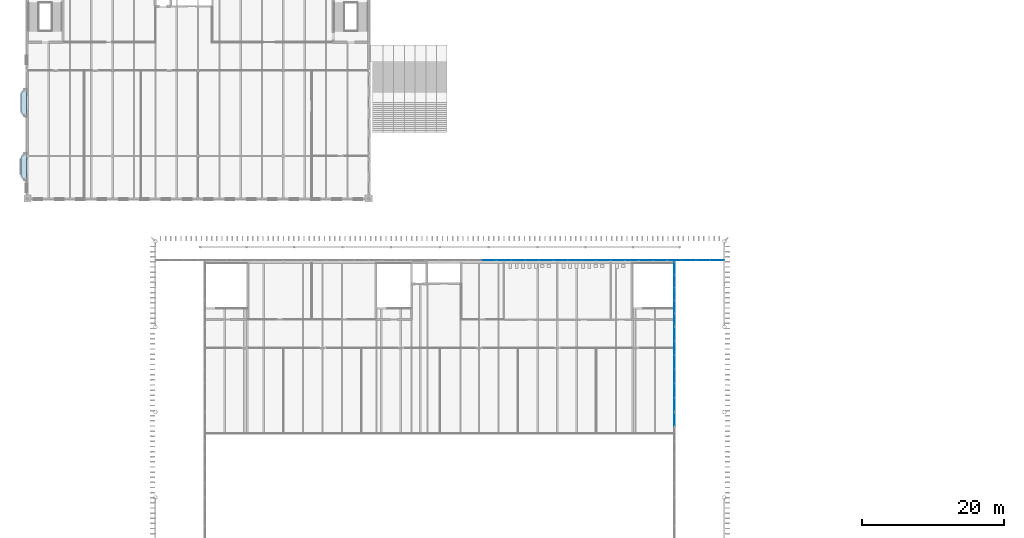
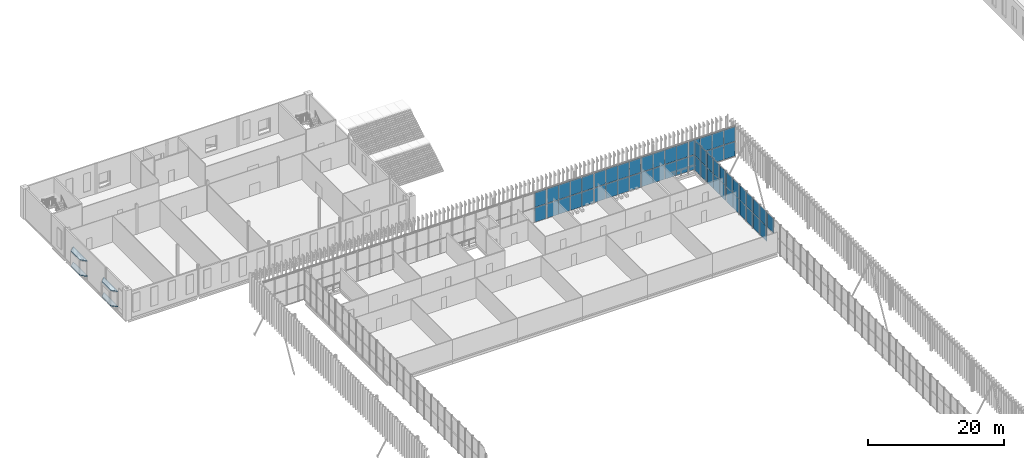
# One storey, part 97 of 170: 57 plates, 4 slabs, 8 elements without a shape of their own.
"""IFC4 building model written with IfcOpenShell, lengths in metres."""

from ifc_helpers import new_model, si_unit, direction, frame, origin, origin_2d, place, context, subcontext, project, spatial, polyline, rectangle, outline, extrude, material, layer, layer_set, type_object, element, aggregate, save


model = new_model("IFC4")

# Units and contexts
model_context = context("Model", 3, precision=1e-05, world=origin(), true_north=direction((0.0, 1.0)))
body_context = subcontext(model_context, "Body", "Model", "MODEL_VIEW")
ifc_project = project(units=[si_unit("LENGTHUNIT", "METRE"), si_unit("AREAUNIT", "SQUARE_METRE"), si_unit("VOLUMEUNIT", "CUBIC_METRE"), si_unit("PLANEANGLEUNIT", "RADIAN"), si_unit("MASSUNIT", "GRAM", prefix="KILO")], contexts=[model_context])

# Site, building, storey
site_placement = place(None, origin())
site = spatial("IfcSite", under=ifc_project, at=site_placement, CompositionType="ELEMENT")
building_placement = place(site_placement, origin())
building = spatial("IfcBuilding", under=site, at=building_placement, Name="Ravi Spectrum Wholesale Market", CompositionType="ELEMENT")
storey_placement = place(building_placement, frame((0.0, 0.0, 5.39990234375)))
storey = spatial("IfcBuildingStorey", under=building, at=storey_placement, Name="L01", CompositionType="ELEMENT", Elevation=5.39990234375)

# Curtain wall, plate
ifc_material_1 = material(Name="Aluminium 6063-T6", Category="aluminium")
ifc_layer_1 = layer(ifc_material_1, 0.14990234375)
ifc_layer_set_1 = layer_set([ifc_layer_1], Name="Aluminium 6063-T6")
curtain_wall_type = type_object("IfcCurtainWallType", Name="Curtain wall 150", PredefinedType="NOTDEFINED", material=ifc_layer_set_1)
curtain_wall_1_placement = place(storey_placement, origin())
curtain_wall_1 = element("IfcCurtainWall", 1, at=curtain_wall_1_placement, inside=storey, type_object=curtain_wall_type, Name="H1-CW-L01-026", PredefinedType="NOTDEFINED")
ifc_material_2 = material(Name="Toughened glass", Category="glass")
ifc_layer_2 = layer(ifc_material_2, 0.028076171875)
ifc_layer_set_2 = layer_set([ifc_layer_2], Name="Toughened glass")
plate_type = type_object("IfcPlateType", Name="Glazing panel 28", PredefinedType="CURTAIN_PANEL", material=ifc_layer_set_2)
plate_1_placement = place(storey_placement, frame((103.0, 172.95166015625, 2.72998046875), z_axis=(0.0, 0.0, 1.0), x_axis=(0.0, 1.0, 0.0)))
plate_1 = element("IfcPlate", 2, at=plate_1_placement, type_object=plate_type, Name="H1-CW-L01-026 panel 6.2", PredefinedType="CURTAIN_PANEL", context=body_context, shape_type="SweptSolid", body=[
    extrude(rectangle(XDim=1.896728515625, YDim=0.028076171875, at=origin_2d()), origin(), (0.0, 0.0, 1.0), 2.610107421875),
])
aggregate(curtain_wall_1, [plate_1])

# Curtain wall, plates
curtain_wall_2_placement = place(storey_placement, origin())
curtain_wall_2 = element("IfcCurtainWall", 3, at=curtain_wall_2_placement, inside=storey, type_object=curtain_wall_type, Name="H1-CW-L01-027", PredefinedType="NOTDEFINED")
plate_2_placement = place(storey_placement, frame((103.0, 175.04833984375, 0.06005859375), z_axis=(0.0, 0.0, 1.0), x_axis=(0.0, 1.0, 0.0)))
plate_2 = element("IfcPlate", 4, at=plate_2_placement, type_object=plate_type, Name="H1-CW-L01-027 panel 1.1", PredefinedType="CURTAIN_PANEL", context=body_context, shape_type="SweptSolid", body=[
    extrude(rectangle(XDim=1.896728515625, YDim=0.028076171875, at=origin_2d()), origin(), (0.0, 0.0, 1.0), 2.610107421875),
])
plate_3_placement = place(storey_placement, frame((103.0, 175.04833984375, 2.72998046875), z_axis=(0.0, 0.0, 1.0), x_axis=(0.0, 1.0, 0.0)))
plate_3 = element("IfcPlate", 5, at=plate_3_placement, type_object=plate_type, Name="H1-CW-L01-027 panel 1.2", PredefinedType="CURTAIN_PANEL", context=body_context, shape_type="SweptSolid", body=[
    extrude(rectangle(XDim=1.896728515625, YDim=0.028076171875, at=origin_2d()), origin(), (0.0, 0.0, 1.0), 2.610107421875),
])
plate_4_placement = place(storey_placement, frame((103.0, 177.02001953125, 0.06005859375), z_axis=(0.0, 0.0, 1.0), x_axis=(0.0, 1.0, 0.0)))
plate_4 = element("IfcPlate", 6, at=plate_4_placement, type_object=plate_type, Name="H1-CW-L01-027 panel 2.1", PredefinedType="CURTAIN_PANEL", context=body_context, shape_type="SweptSolid", body=[
    extrude(rectangle(XDim=1.9267578125, YDim=0.028076171875, at=origin_2d()), origin(), (0.0, 0.0, 1.0), 2.610107421875),
])
plate_5_placement = place(storey_placement, frame((103.0, 177.02001953125, 2.72998046875), z_axis=(0.0, 0.0, 1.0), x_axis=(0.0, 1.0, 0.0)))
plate_5 = element("IfcPlate", 7, at=plate_5_placement, type_object=plate_type, Name="H1-CW-L01-027 panel 2.2", PredefinedType="CURTAIN_PANEL", context=body_context, shape_type="SweptSolid", body=[
    extrude(rectangle(XDim=1.9267578125, YDim=0.028076171875, at=origin_2d()), origin(), (0.0, 0.0, 1.0), 2.610107421875),
])
plate_6_placement = place(storey_placement, frame((103.0, 179.006591796875, 0.06005859375), z_axis=(0.0, 0.0, 1.0), x_axis=(0.0, 1.0, 0.0)))
plate_6 = element("IfcPlate", 8, at=plate_6_placement, type_object=plate_type, Name="H1-CW-L01-027 panel 3.1", PredefinedType="CURTAIN_PANEL", context=body_context, shape_type="SweptSolid", body=[
    extrude(rectangle(XDim=1.9267578125, YDim=0.028076171875, at=origin_2d()), origin(), (0.0, 0.0, 1.0), 2.610107421875),
])
plate_7_placement = place(storey_placement, frame((103.0, 179.006591796875, 2.72998046875), z_axis=(0.0, 0.0, 1.0), x_axis=(0.0, 1.0, 0.0)))
plate_7 = element("IfcPlate", 9, at=plate_7_placement, type_object=plate_type, Name="H1-CW-L01-027 panel 3.2", PredefinedType="CURTAIN_PANEL", context=body_context, shape_type="SweptSolid", body=[
    extrude(rectangle(XDim=1.9267578125, YDim=0.028076171875, at=origin_2d()), origin(), (0.0, 0.0, 1.0), 2.610107421875),
])
plate_8_placement = place(storey_placement, frame((103.0, 180.993408203125, 0.06005859375), z_axis=(0.0, 0.0, 1.0), x_axis=(0.0, 1.0, 0.0)))
plate_8 = element("IfcPlate", 10, at=plate_8_placement, type_object=plate_type, Name="H1-CW-L01-027 panel 4.1", PredefinedType="CURTAIN_PANEL", context=body_context, shape_type="SweptSolid", body=[
    extrude(rectangle(XDim=1.9267578125, YDim=0.028076171875, at=origin_2d()), origin(), (0.0, 0.0, 1.0), 2.610107421875),
])
plate_9_placement = place(storey_placement, frame((103.0, 180.993408203125, 2.72998046875), z_axis=(0.0, 0.0, 1.0), x_axis=(0.0, 1.0, 0.0)))
plate_9 = element("IfcPlate", 11, at=plate_9_placement, type_object=plate_type, Name="H1-CW-L01-027 panel 4.2", PredefinedType="CURTAIN_PANEL", context=body_context, shape_type="SweptSolid", body=[
    extrude(rectangle(XDim=1.9267578125, YDim=0.028076171875, at=origin_2d()), origin(), (0.0, 0.0, 1.0), 2.610107421875),
])
plate_10_placement = place(storey_placement, frame((103.0, 182.97998046875, 0.06005859375), z_axis=(0.0, 0.0, 1.0), x_axis=(0.0, 1.0, 0.0)))
plate_10 = element("IfcPlate", 12, at=plate_10_placement, type_object=plate_type, Name="H1-CW-L01-027 panel 5.1", PredefinedType="CURTAIN_PANEL", context=body_context, shape_type="SweptSolid", body=[
    extrude(rectangle(XDim=1.9267578125, YDim=0.028076171875, at=origin_2d()), origin(), (0.0, 0.0, 1.0), 2.610107421875),
])
plate_11_placement = place(storey_placement, frame((103.0, 182.97998046875, 2.72998046875), z_axis=(0.0, 0.0, 1.0), x_axis=(0.0, 1.0, 0.0)))
plate_11 = element("IfcPlate", 13, at=plate_11_placement, type_object=plate_type, Name="H1-CW-L01-027 panel 5.2", PredefinedType="CURTAIN_PANEL", context=body_context, shape_type="SweptSolid", body=[
    extrude(rectangle(XDim=1.9267578125, YDim=0.028076171875, at=origin_2d()), origin(), (0.0, 0.0, 1.0), 2.610107421875),
])
plate_12_placement = place(storey_placement, frame((103.0, 184.95166015625, 0.06005859375), z_axis=(0.0, 0.0, 1.0), x_axis=(0.0, 1.0, 0.0)))
plate_12 = element("IfcPlate", 14, at=plate_12_placement, type_object=plate_type, Name="H1-CW-L01-027 panel 6.1", PredefinedType="CURTAIN_PANEL", context=body_context, shape_type="SweptSolid", body=[
    extrude(rectangle(XDim=1.896728515625, YDim=0.028076171875, at=origin_2d()), origin(), (0.0, 0.0, 1.0), 2.610107421875),
])
plate_13_placement = place(storey_placement, frame((103.0, 184.95166015625, 2.72998046875), z_axis=(0.0, 0.0, 1.0), x_axis=(0.0, 1.0, 0.0)))
plate_13 = element("IfcPlate", 15, at=plate_13_placement, type_object=plate_type, Name="H1-CW-L01-027 panel 6.2", PredefinedType="CURTAIN_PANEL", context=body_context, shape_type="SweptSolid", body=[
    extrude(rectangle(XDim=1.896728515625, YDim=0.028076171875, at=origin_2d()), origin(), (0.0, 0.0, 1.0), 2.610107421875),
])
aggregate(curtain_wall_2, [plate_2, plate_3, plate_4, plate_5, plate_6, plate_7, plate_8, plate_9, plate_10, plate_11, plate_12, plate_13])

curtain_wall_3_placement = place(storey_placement, origin())
curtain_wall_3 = element("IfcCurtainWall", 16, at=curtain_wall_3_placement, inside=storey, type_object=curtain_wall_type, Name="H1-CW-L01-028", PredefinedType="NOTDEFINED")
plate_14_placement = place(storey_placement, frame((103.0, 186.964111328125, 0.06005859375), z_axis=(0.0, 0.0, 1.0), x_axis=(0.0, 1.0, 0.0)))
plate_14 = element("IfcPlate", 17, at=plate_14_placement, type_object=plate_type, Name="H1-CW-L01-028 panel 1.1", PredefinedType="CURTAIN_PANEL", context=body_context, shape_type="SweptSolid", body=[
    extrude(rectangle(XDim=1.72802734375, YDim=0.028076171875, at=origin_2d()), origin(), (0.0, 0.0, 1.0), 2.610107421875),
])
plate_15_placement = place(storey_placement, frame((103.0, 186.964111328125, 2.72998046875), z_axis=(0.0, 0.0, 1.0), x_axis=(0.0, 1.0, 0.0)))
plate_15 = element("IfcPlate", 18, at=plate_15_placement, type_object=plate_type, Name="H1-CW-L01-028 panel 1.2", PredefinedType="CURTAIN_PANEL", context=body_context, shape_type="SweptSolid", body=[
    extrude(rectangle(XDim=1.72802734375, YDim=0.028076171875, at=origin_2d()), origin(), (0.0, 0.0, 1.0), 2.610107421875),
])
plate_16_placement = place(storey_placement, frame((103.0, 188.76708984375, 0.06005859375), z_axis=(0.0, 0.0, 1.0), x_axis=(0.0, 1.0, 0.0)))
plate_16 = element("IfcPlate", 19, at=plate_16_placement, type_object=plate_type, Name="H1-CW-L01-028 panel 2.1", PredefinedType="CURTAIN_PANEL", context=body_context, shape_type="SweptSolid", body=[
    extrude(rectangle(XDim=1.758056640625, YDim=0.028076171875, at=origin_2d()), origin(), (0.0, 0.0, 1.0), 2.610107421875),
])
plate_17_placement = place(storey_placement, frame((103.0, 188.76708984375, 2.72998046875), z_axis=(0.0, 0.0, 1.0), x_axis=(0.0, 1.0, 0.0)))
plate_17 = element("IfcPlate", 20, at=plate_17_placement, type_object=plate_type, Name="H1-CW-L01-028 panel 2.2", PredefinedType="CURTAIN_PANEL", context=body_context, shape_type="SweptSolid", body=[
    extrude(rectangle(XDim=1.758056640625, YDim=0.028076171875, at=origin_2d()), origin(), (0.0, 0.0, 1.0), 2.610107421875),
])
plate_18_placement = place(storey_placement, frame((103.0, 190.5849609375, 0.06005859375), z_axis=(0.0, 0.0, 1.0), x_axis=(0.0, 1.0, 0.0)))
plate_18 = element("IfcPlate", 21, at=plate_18_placement, type_object=plate_type, Name="H1-CW-L01-028 panel 3.1", PredefinedType="CURTAIN_PANEL", context=body_context, shape_type="SweptSolid", body=[
    extrude(rectangle(XDim=1.758056640625, YDim=0.028076171875, at=origin_2d()), origin(), (0.0, 0.0, 1.0), 2.610107421875),
])
plate_19_placement = place(storey_placement, frame((103.0, 190.5849609375, 2.72998046875), z_axis=(0.0, 0.0, 1.0), x_axis=(0.0, 1.0, 0.0)))
plate_19 = element("IfcPlate", 22, at=plate_19_placement, type_object=plate_type, Name="H1-CW-L01-028 panel 3.2", PredefinedType="CURTAIN_PANEL", context=body_context, shape_type="SweptSolid", body=[
    extrude(rectangle(XDim=1.758056640625, YDim=0.028076171875, at=origin_2d()), origin(), (0.0, 0.0, 1.0), 2.610107421875),
])
plate_20_placement = place(storey_placement, frame((103.0, 192.403076171875, 0.06005859375), z_axis=(0.0, 0.0, 1.0), x_axis=(0.0, 1.0, 0.0)))
plate_20 = element("IfcPlate", 23, at=plate_20_placement, type_object=plate_type, Name="H1-CW-L01-028 panel 4.1", PredefinedType="CURTAIN_PANEL", context=body_context, shape_type="SweptSolid", body=[
    extrude(rectangle(XDim=1.758056640625, YDim=0.028076171875, at=origin_2d()), origin(), (0.0, 0.0, 1.0), 2.610107421875),
])
plate_21_placement = place(storey_placement, frame((103.0, 192.403076171875, 2.72998046875), z_axis=(0.0, 0.0, 1.0), x_axis=(0.0, 1.0, 0.0)))
plate_21 = element("IfcPlate", 24, at=plate_21_placement, type_object=plate_type, Name="H1-CW-L01-028 panel 4.2", PredefinedType="CURTAIN_PANEL", context=body_context, shape_type="SweptSolid", body=[
    extrude(rectangle(XDim=1.758056640625, YDim=0.028076171875, at=origin_2d()), origin(), (0.0, 0.0, 1.0), 2.610107421875),
])
plate_22_placement = place(storey_placement, frame((103.0, 194.2060546875, 0.06005859375), z_axis=(0.0, 0.0, 1.0), x_axis=(0.0, 1.0, 0.0)))
plate_22 = element("IfcPlate", 25, at=plate_22_placement, type_object=plate_type, Name="H1-CW-L01-028 panel 5.1", PredefinedType="CURTAIN_PANEL", context=body_context, shape_type="SweptSolid", body=[
    extrude(rectangle(XDim=1.72802734375, YDim=0.028076171875, at=origin_2d()), origin(), (0.0, 0.0, 1.0), 2.610107421875),
])
plate_23_placement = place(storey_placement, frame((103.0, 194.2060546875, 2.72998046875), z_axis=(0.0, 0.0, 1.0), x_axis=(0.0, 1.0, 0.0)))
plate_23 = element("IfcPlate", 26, at=plate_23_placement, type_object=plate_type, Name="H1-CW-L01-028 panel 5.2", PredefinedType="CURTAIN_PANEL", context=body_context, shape_type="SweptSolid", body=[
    extrude(rectangle(XDim=1.72802734375, YDim=0.028076171875, at=origin_2d()), origin(), (0.0, 0.0, 1.0), 2.610107421875),
])
aggregate(curtain_wall_3, [plate_14, plate_15, plate_16, plate_17, plate_18, plate_19, plate_20, plate_21, plate_22, plate_23])

curtain_wall_4_placement = place(storey_placement, origin())
curtain_wall_4 = element("IfcCurtainWall", 27, at=curtain_wall_4_placement, inside=storey, type_object=curtain_wall_type, Name="H1-CW-L01-058", PredefinedType="NOTDEFINED")
plate_24_placement = place(storey_placement, frame((76.955078125, 195.340087890625, 0.06005859375), z_axis=(0.0, 0.0, 1.0), x_axis=(1.0, 0.0, 0.0)))
plate_24 = element("IfcPlate", 28, at=plate_24_placement, type_object=plate_type, Name="H1-CW-L01-058 panel 4.1", PredefinedType="CURTAIN_PANEL", context=body_context, shape_type="SweptSolid", body=[
    extrude(rectangle(XDim=1.889892578125, YDim=0.028076171875, at=origin_2d()), origin(), (0.0, 0.0, 1.0), 2.610107421875),
])
plate_25_placement = place(storey_placement, frame((76.955078125, 195.340087890625, 2.72998046875), z_axis=(0.0, 0.0, 1.0), x_axis=(1.0, 0.0, 0.0)))
plate_25 = element("IfcPlate", 29, at=plate_25_placement, type_object=plate_type, Name="H1-CW-L01-058 panel 4.2", PredefinedType="CURTAIN_PANEL", context=body_context, shape_type="SweptSolid", body=[
    extrude(rectangle(XDim=1.889892578125, YDim=0.028076171875, at=origin_2d()), origin(), (0.0, 0.0, 1.0), 2.610107421875),
])
aggregate(curtain_wall_4, [plate_24, plate_25])

curtain_wall_5_placement = place(storey_placement, origin())
curtain_wall_5 = element("IfcCurtainWall", 30, at=curtain_wall_5_placement, inside=storey, type_object=curtain_wall_type, Name="H1-CW-L01-059", PredefinedType="NOTDEFINED")
plate_26_placement = place(storey_placement, frame((79.044921875, 195.340087890625, 0.06005859375), z_axis=(0.0, 0.0, 1.0), x_axis=(1.0, 0.0, 0.0)))
plate_26 = element("IfcPlate", 31, at=plate_26_placement, type_object=plate_type, Name="H1-CW-L01-059 panel 1.1", PredefinedType="CURTAIN_PANEL", context=body_context, shape_type="SweptSolid", body=[
    extrude(rectangle(XDim=1.889892578125, YDim=0.028076171875, at=origin_2d()), origin(), (0.0, 0.0, 1.0), 2.610107421875),
])
plate_27_placement = place(storey_placement, frame((79.044921875, 195.340087890625, 2.72998046875), z_axis=(0.0, 0.0, 1.0), x_axis=(1.0, 0.0, 0.0)))
plate_27 = element("IfcPlate", 32, at=plate_27_placement, type_object=plate_type, Name="H1-CW-L01-059 panel 1.2", PredefinedType="CURTAIN_PANEL", context=body_context, shape_type="SweptSolid", body=[
    extrude(rectangle(XDim=1.889892578125, YDim=0.028076171875, at=origin_2d()), origin(), (0.0, 0.0, 1.0), 2.610107421875),
])
plate_28_placement = place(storey_placement, frame((81.010009765625, 195.340087890625, 0.06005859375), z_axis=(0.0, 0.0, 1.0), x_axis=(1.0, 0.0, 0.0)))
plate_28 = element("IfcPlate", 33, at=plate_28_placement, type_object=plate_type, Name="H1-CW-L01-059 panel 2.1", PredefinedType="CURTAIN_PANEL", context=body_context, shape_type="SweptSolid", body=[
    extrude(rectangle(XDim=1.919921875, YDim=0.028076171875, at=origin_2d()), origin(), (0.0, 0.0, 1.0), 2.610107421875),
])
plate_29_placement = place(storey_placement, frame((81.010009765625, 195.340087890625, 2.72998046875), z_axis=(0.0, 0.0, 1.0), x_axis=(1.0, 0.0, 0.0)))
plate_29 = element("IfcPlate", 34, at=plate_29_placement, type_object=plate_type, Name="H1-CW-L01-059 panel 2.2", PredefinedType="CURTAIN_PANEL", context=body_context, shape_type="SweptSolid", body=[
    extrude(rectangle(XDim=1.919921875, YDim=0.028076171875, at=origin_2d()), origin(), (0.0, 0.0, 1.0), 2.610107421875),
])
plate_30_placement = place(storey_placement, frame((82.989990234375, 195.340087890625, 0.06005859375), z_axis=(0.0, 0.0, 1.0), x_axis=(1.0, 0.0, 0.0)))
plate_30 = element("IfcPlate", 35, at=plate_30_placement, type_object=plate_type, Name="H1-CW-L01-059 panel 3.1", PredefinedType="CURTAIN_PANEL", context=body_context, shape_type="SweptSolid", body=[
    extrude(rectangle(XDim=1.919921875, YDim=0.028076171875, at=origin_2d()), origin(), (0.0, 0.0, 1.0), 2.610107421875),
])
plate_31_placement = place(storey_placement, frame((82.989990234375, 195.340087890625, 2.72998046875), z_axis=(0.0, 0.0, 1.0), x_axis=(1.0, 0.0, 0.0)))
plate_31 = element("IfcPlate", 36, at=plate_31_placement, type_object=plate_type, Name="H1-CW-L01-059 panel 3.2", PredefinedType="CURTAIN_PANEL", context=body_context, shape_type="SweptSolid", body=[
    extrude(rectangle(XDim=1.919921875, YDim=0.028076171875, at=origin_2d()), origin(), (0.0, 0.0, 1.0), 2.610107421875),
])
plate_32_placement = place(storey_placement, frame((84.955078125, 195.340087890625, 0.06005859375), z_axis=(0.0, 0.0, 1.0), x_axis=(1.0, 0.0, 0.0)))
plate_32 = element("IfcPlate", 37, at=plate_32_placement, type_object=plate_type, Name="H1-CW-L01-059 panel 4.1", PredefinedType="CURTAIN_PANEL", context=body_context, shape_type="SweptSolid", body=[
    extrude(rectangle(XDim=1.889892578125, YDim=0.028076171875, at=origin_2d()), origin(), (0.0, 0.0, 1.0), 2.610107421875),
])
plate_33_placement = place(storey_placement, frame((84.955078125, 195.340087890625, 2.72998046875), z_axis=(0.0, 0.0, 1.0), x_axis=(1.0, 0.0, 0.0)))
plate_33 = element("IfcPlate", 38, at=plate_33_placement, type_object=plate_type, Name="H1-CW-L01-059 panel 4.2", PredefinedType="CURTAIN_PANEL", context=body_context, shape_type="SweptSolid", body=[
    extrude(rectangle(XDim=1.889892578125, YDim=0.028076171875, at=origin_2d()), origin(), (0.0, 0.0, 1.0), 2.610107421875),
])
aggregate(curtain_wall_5, [plate_26, plate_27, plate_28, plate_29, plate_30, plate_31, plate_32, plate_33])

curtain_wall_6_placement = place(storey_placement, origin())
curtain_wall_6 = element("IfcCurtainWall", 39, at=curtain_wall_6_placement, inside=storey, type_object=curtain_wall_type, Name="H1-CW-L01-060", PredefinedType="NOTDEFINED")
plate_34_placement = place(storey_placement, frame((87.044921875, 195.340087890625, 0.06005859375), z_axis=(0.0, 0.0, 1.0), x_axis=(1.0, 0.0, 0.0)))
plate_34 = element("IfcPlate", 40, at=plate_34_placement, type_object=plate_type, Name="H1-CW-L01-060 panel 1.1", PredefinedType="CURTAIN_PANEL", context=body_context, shape_type="SweptSolid", body=[
    extrude(rectangle(XDim=1.889892578125, YDim=0.028076171875, at=origin_2d()), origin(), (0.0, 0.0, 1.0), 2.610107421875),
])
plate_35_placement = place(storey_placement, frame((87.044921875, 195.340087890625, 2.72998046875), z_axis=(0.0, 0.0, 1.0), x_axis=(1.0, 0.0, 0.0)))
plate_35 = element("IfcPlate", 41, at=plate_35_placement, type_object=plate_type, Name="H1-CW-L01-060 panel 1.2", PredefinedType="CURTAIN_PANEL", context=body_context, shape_type="SweptSolid", body=[
    extrude(rectangle(XDim=1.889892578125, YDim=0.028076171875, at=origin_2d()), origin(), (0.0, 0.0, 1.0), 2.610107421875),
])
plate_36_placement = place(storey_placement, frame((89.010009765625, 195.340087890625, 0.06005859375), z_axis=(0.0, 0.0, 1.0), x_axis=(1.0, 0.0, 0.0)))
plate_36 = element("IfcPlate", 42, at=plate_36_placement, type_object=plate_type, Name="H1-CW-L01-060 panel 2.1", PredefinedType="CURTAIN_PANEL", context=body_context, shape_type="SweptSolid", body=[
    extrude(rectangle(XDim=1.919921875, YDim=0.028076171875, at=origin_2d()), origin(), (0.0, 0.0, 1.0), 2.610107421875),
])
plate_37_placement = place(storey_placement, frame((89.010009765625, 195.340087890625, 2.72998046875), z_axis=(0.0, 0.0, 1.0), x_axis=(1.0, 0.0, 0.0)))
plate_37 = element("IfcPlate", 43, at=plate_37_placement, type_object=plate_type, Name="H1-CW-L01-060 panel 2.2", PredefinedType="CURTAIN_PANEL", context=body_context, shape_type="SweptSolid", body=[
    extrude(rectangle(XDim=1.919921875, YDim=0.028076171875, at=origin_2d()), origin(), (0.0, 0.0, 1.0), 2.610107421875),
])
plate_38_placement = place(storey_placement, frame((90.989990234375, 195.340087890625, 0.06005859375), z_axis=(0.0, 0.0, 1.0), x_axis=(1.0, 0.0, 0.0)))
plate_38 = element("IfcPlate", 44, at=plate_38_placement, type_object=plate_type, Name="H1-CW-L01-060 panel 3.1", PredefinedType="CURTAIN_PANEL", context=body_context, shape_type="SweptSolid", body=[
    extrude(rectangle(XDim=1.919921875, YDim=0.028076171875, at=origin_2d()), origin(), (0.0, 0.0, 1.0), 2.610107421875),
])
plate_39_placement = place(storey_placement, frame((90.989990234375, 195.340087890625, 2.72998046875), z_axis=(0.0, 0.0, 1.0), x_axis=(1.0, 0.0, 0.0)))
plate_39 = element("IfcPlate", 45, at=plate_39_placement, type_object=plate_type, Name="H1-CW-L01-060 panel 3.2", PredefinedType="CURTAIN_PANEL", context=body_context, shape_type="SweptSolid", body=[
    extrude(rectangle(XDim=1.919921875, YDim=0.028076171875, at=origin_2d()), origin(), (0.0, 0.0, 1.0), 2.610107421875),
])
plate_40_placement = place(storey_placement, frame((92.955078125, 195.340087890625, 0.06005859375), z_axis=(0.0, 0.0, 1.0), x_axis=(1.0, 0.0, 0.0)))
plate_40 = element("IfcPlate", 46, at=plate_40_placement, type_object=plate_type, Name="H1-CW-L01-060 panel 4.1", PredefinedType="CURTAIN_PANEL", context=body_context, shape_type="SweptSolid", body=[
    extrude(rectangle(XDim=1.889892578125, YDim=0.028076171875, at=origin_2d()), origin(), (0.0, 0.0, 1.0), 2.610107421875),
])
plate_41_placement = place(storey_placement, frame((92.955078125, 195.340087890625, 2.72998046875), z_axis=(0.0, 0.0, 1.0), x_axis=(1.0, 0.0, 0.0)))
plate_41 = element("IfcPlate", 47, at=plate_41_placement, type_object=plate_type, Name="H1-CW-L01-060 panel 4.2", PredefinedType="CURTAIN_PANEL", context=body_context, shape_type="SweptSolid", body=[
    extrude(rectangle(XDim=1.889892578125, YDim=0.028076171875, at=origin_2d()), origin(), (0.0, 0.0, 1.0), 2.610107421875),
])
aggregate(curtain_wall_6, [plate_34, plate_35, plate_36, plate_37, plate_38, plate_39, plate_40, plate_41])

curtain_wall_7_placement = place(storey_placement, origin())
curtain_wall_7 = element("IfcCurtainWall", 48, at=curtain_wall_7_placement, inside=storey, type_object=curtain_wall_type, Name="H1-CW-L01-061", PredefinedType="NOTDEFINED")
plate_42_placement = place(storey_placement, frame((95.044921875, 195.340087890625, 0.06005859375), z_axis=(0.0, 0.0, 1.0), x_axis=(1.0, 0.0, 0.0)))
plate_42 = element("IfcPlate", 49, at=plate_42_placement, type_object=plate_type, Name="H1-CW-L01-061 panel 1.1", PredefinedType="CURTAIN_PANEL", context=body_context, shape_type="SweptSolid", body=[
    extrude(rectangle(XDim=1.889892578125, YDim=0.028076171875, at=origin_2d()), origin(), (0.0, 0.0, 1.0), 2.610107421875),
])
plate_43_placement = place(storey_placement, frame((95.044921875, 195.340087890625, 2.72998046875), z_axis=(0.0, 0.0, 1.0), x_axis=(1.0, 0.0, 0.0)))
plate_43 = element("IfcPlate", 50, at=plate_43_placement, type_object=plate_type, Name="H1-CW-L01-061 panel 1.2", PredefinedType="CURTAIN_PANEL", context=body_context, shape_type="SweptSolid", body=[
    extrude(rectangle(XDim=1.889892578125, YDim=0.028076171875, at=origin_2d()), origin(), (0.0, 0.0, 1.0), 2.610107421875),
])
plate_44_placement = place(storey_placement, frame((97.010009765625, 195.340087890625, 0.06005859375), z_axis=(0.0, 0.0, 1.0), x_axis=(1.0, 0.0, 0.0)))
plate_44 = element("IfcPlate", 51, at=plate_44_placement, type_object=plate_type, Name="H1-CW-L01-061 panel 2.1", PredefinedType="CURTAIN_PANEL", context=body_context, shape_type="SweptSolid", body=[
    extrude(rectangle(XDim=1.919921875, YDim=0.028076171875, at=origin_2d()), origin(), (0.0, 0.0, 1.0), 2.610107421875),
])
plate_45_placement = place(storey_placement, frame((97.010009765625, 195.340087890625, 2.72998046875), z_axis=(0.0, 0.0, 1.0), x_axis=(1.0, 0.0, 0.0)))
plate_45 = element("IfcPlate", 52, at=plate_45_placement, type_object=plate_type, Name="H1-CW-L01-061 panel 2.2", PredefinedType="CURTAIN_PANEL", context=body_context, shape_type="SweptSolid", body=[
    extrude(rectangle(XDim=1.919921875, YDim=0.028076171875, at=origin_2d()), origin(), (0.0, 0.0, 1.0), 2.610107421875),
])
plate_46_placement = place(storey_placement, frame((98.989990234375, 195.340087890625, 0.06005859375), z_axis=(0.0, 0.0, 1.0), x_axis=(1.0, 0.0, 0.0)))
plate_46 = element("IfcPlate", 53, at=plate_46_placement, type_object=plate_type, Name="H1-CW-L01-061 panel 3.1", PredefinedType="CURTAIN_PANEL", context=body_context, shape_type="SweptSolid", body=[
    extrude(rectangle(XDim=1.919921875, YDim=0.028076171875, at=origin_2d()), origin(), (0.0, 0.0, 1.0), 2.610107421875),
])
plate_47_placement = place(storey_placement, frame((98.989990234375, 195.340087890625, 2.72998046875), z_axis=(0.0, 0.0, 1.0), x_axis=(1.0, 0.0, 0.0)))
plate_47 = element("IfcPlate", 54, at=plate_47_placement, type_object=plate_type, Name="H1-CW-L01-061 panel 3.2", PredefinedType="CURTAIN_PANEL", context=body_context, shape_type="SweptSolid", body=[
    extrude(rectangle(XDim=1.919921875, YDim=0.028076171875, at=origin_2d()), origin(), (0.0, 0.0, 1.0), 2.610107421875),
])
plate_48_placement = place(storey_placement, frame((100.955078125, 195.340087890625, 0.06005859375), z_axis=(0.0, 0.0, 1.0), x_axis=(1.0, 0.0, 0.0)))
plate_48 = element("IfcPlate", 55, at=plate_48_placement, type_object=plate_type, Name="H1-CW-L01-061 panel 4.1", PredefinedType="CURTAIN_PANEL", context=body_context, shape_type="SweptSolid", body=[
    extrude(rectangle(XDim=1.889892578125, YDim=0.028076171875, at=origin_2d()), origin(), (0.0, 0.0, 1.0), 2.610107421875),
])
plate_49_placement = place(storey_placement, frame((100.955078125, 195.340087890625, 2.72998046875), z_axis=(0.0, 0.0, 1.0), x_axis=(1.0, 0.0, 0.0)))
plate_49 = element("IfcPlate", 56, at=plate_49_placement, type_object=plate_type, Name="H1-CW-L01-061 panel 4.2", PredefinedType="CURTAIN_PANEL", context=body_context, shape_type="SweptSolid", body=[
    extrude(rectangle(XDim=1.889892578125, YDim=0.028076171875, at=origin_2d()), origin(), (0.0, 0.0, 1.0), 2.610107421875),
])
aggregate(curtain_wall_7, [plate_42, plate_43, plate_44, plate_45, plate_46, plate_47, plate_48, plate_49])

curtain_wall_8_placement = place(storey_placement, origin())
curtain_wall_8 = element("IfcCurtainWall", 57, at=curtain_wall_8_placement, inside=storey, type_object=curtain_wall_type, Name="H1-CW-L01-062", PredefinedType="NOTDEFINED")
plate_50_placement = place(storey_placement, frame((103.044921875, 195.340087890625, 0.06005859375), z_axis=(0.0, 0.0, 1.0), x_axis=(1.0, 0.0, 0.0)))
plate_50 = element("IfcPlate", 58, at=plate_50_placement, type_object=plate_type, Name="H1-CW-L01-062 panel 1.1", PredefinedType="CURTAIN_PANEL", context=body_context, shape_type="SweptSolid", body=[
    extrude(rectangle(XDim=1.889892578125, YDim=0.028076171875, at=origin_2d()), origin(), (0.0, 0.0, 1.0), 2.610107421875),
])
plate_51_placement = place(storey_placement, frame((103.044921875, 195.340087890625, 2.72998046875), z_axis=(0.0, 0.0, 1.0), x_axis=(1.0, 0.0, 0.0)))
plate_51 = element("IfcPlate", 59, at=plate_51_placement, type_object=plate_type, Name="H1-CW-L01-062 panel 1.2", PredefinedType="CURTAIN_PANEL", context=body_context, shape_type="SweptSolid", body=[
    extrude(rectangle(XDim=1.889892578125, YDim=0.028076171875, at=origin_2d()), origin(), (0.0, 0.0, 1.0), 2.610107421875),
])
plate_52_placement = place(storey_placement, frame((105.010009765625, 195.340087890625, 0.06005859375), z_axis=(0.0, 0.0, 1.0), x_axis=(1.0, 0.0, 0.0)))
plate_52 = element("IfcPlate", 60, at=plate_52_placement, type_object=plate_type, Name="H1-CW-L01-062 panel 2.1", PredefinedType="CURTAIN_PANEL", context=body_context, shape_type="SweptSolid", body=[
    extrude(rectangle(XDim=1.919921875, YDim=0.028076171875, at=origin_2d()), origin(), (0.0, 0.0, 1.0), 2.610107421875),
])
plate_53_placement = place(storey_placement, frame((105.010009765625, 195.340087890625, 2.72998046875), z_axis=(0.0, 0.0, 1.0), x_axis=(1.0, 0.0, 0.0)))
plate_53 = element("IfcPlate", 61, at=plate_53_placement, type_object=plate_type, Name="H1-CW-L01-062 panel 2.2", PredefinedType="CURTAIN_PANEL", context=body_context, shape_type="SweptSolid", body=[
    extrude(rectangle(XDim=1.919921875, YDim=0.028076171875, at=origin_2d()), origin(), (0.0, 0.0, 1.0), 2.610107421875),
])
plate_54_placement = place(storey_placement, frame((106.989990234375, 195.340087890625, 0.06005859375), z_axis=(0.0, 0.0, 1.0), x_axis=(1.0, 0.0, 0.0)))
plate_54 = element("IfcPlate", 62, at=plate_54_placement, type_object=plate_type, Name="H1-CW-L01-062 panel 3.1", PredefinedType="CURTAIN_PANEL", context=body_context, shape_type="SweptSolid", body=[
    extrude(rectangle(XDim=1.919921875, YDim=0.028076171875, at=origin_2d()), origin(), (0.0, 0.0, 1.0), 2.610107421875),
])
plate_55_placement = place(storey_placement, frame((106.989990234375, 195.340087890625, 2.72998046875), z_axis=(0.0, 0.0, 1.0), x_axis=(1.0, 0.0, 0.0)))
plate_55 = element("IfcPlate", 63, at=plate_55_placement, type_object=plate_type, Name="H1-CW-L01-062 panel 3.2", PredefinedType="CURTAIN_PANEL", context=body_context, shape_type="SweptSolid", body=[
    extrude(rectangle(XDim=1.919921875, YDim=0.028076171875, at=origin_2d()), origin(), (0.0, 0.0, 1.0), 2.610107421875),
])
plate_56_placement = place(storey_placement, frame((108.955078125, 195.340087890625, 0.06005859375), z_axis=(0.0, 0.0, 1.0), x_axis=(1.0, 0.0, 0.0)))
plate_56 = element("IfcPlate", 64, at=plate_56_placement, type_object=plate_type, Name="H1-CW-L01-062 panel 4.1", PredefinedType="CURTAIN_PANEL", context=body_context, shape_type="SweptSolid", body=[
    extrude(rectangle(XDim=1.889892578125, YDim=0.028076171875, at=origin_2d()), origin(), (0.0, 0.0, 1.0), 2.610107421875),
])
plate_57_placement = place(storey_placement, frame((108.955078125, 195.340087890625, 2.72998046875), z_axis=(0.0, 0.0, 1.0), x_axis=(1.0, 0.0, 0.0)))
plate_57 = element("IfcPlate", 65, at=plate_57_placement, type_object=plate_type, Name="H1-CW-L01-062 panel 4.2", PredefinedType="CURTAIN_PANEL", context=body_context, shape_type="SweptSolid", body=[
    extrude(rectangle(XDim=1.889892578125, YDim=0.028076171875, at=origin_2d()), origin(), (0.0, 0.0, 1.0), 2.610107421875),
])
aggregate(curtain_wall_8, [plate_50, plate_51, plate_52, plate_53, plate_54, plate_55, plate_56, plate_57])

# Slabs
ifc_material_3 = material(Name="Concrete C35/45", Category="concrete")
ifc_layer_3 = layer(ifc_material_3, 0.159912109375)
ifc_layer_set_3 = layer_set([ifc_layer_3], Name="Concrete C35/45")
slab_type_1 = type_object("IfcSlabType", Name="Oriel floor slab 160", PredefinedType="FLOOR", material=ifc_layer_set_3)
slab_1_placement = place(storey_placement, frame((0.0, 0.0, 0.590087890625)))
element("IfcSlab", 66, at=slab_1_placement, inside=storey, type_object=slab_type_1, Name="Oriel floor", PredefinedType="FLOOR", context=body_context, shape_type="SweptSolid", body=[
    extrude(outline(polyline([(11.885009765625, 206.39990234375), (11.0849609375, 207.199951171875), (11.0849609375, 209.800048828125), (11.885009765625, 210.60009765625), (11.885009765625, 206.39990234375)])), origin(), (0.0, 0.0, 1.0), 0.159912109375),
])
slab_2_placement = place(storey_placement, frame((0.0, 0.0, 0.590087890625)))
element("IfcSlab", 67, at=slab_2_placement, inside=storey, type_object=slab_type_1, Name="Oriel floor", PredefinedType="FLOOR", context=body_context, shape_type="SweptSolid", body=[
    extrude(outline(polyline([(11.885009765625, 215.39990234375), (11.0849609375, 216.199951171875), (11.0849609375, 218.800048828125), (11.885009765625, 219.60009765625), (11.885009765625, 215.39990234375)])), origin(), (0.0, 0.0, 1.0), 0.159912109375),
])
ifc_material_4 = material(Name="Concrete C35/45", Category="concrete")
ifc_layer_4 = layer(ifc_material_4, 0.14990234375)
ifc_layer_set_4 = layer_set([ifc_layer_4], Name="Concrete C35/45")
slab_type_2 = type_object("IfcSlabType", Name="Oriel roof slab 150", PredefinedType="ROOF", material=ifc_layer_set_4)
slab_3_placement = place(storey_placement, frame((0.0, 0.0, 3.300048828125)))
element("IfcSlab", 68, at=slab_3_placement, inside=storey, type_object=slab_type_2, Name="Oriel roof", PredefinedType="ROOF", context=body_context, shape_type="SweptSolid", body=[
    extrude(outline(polyline([(11.885009765625, 206.39990234375), (11.0849609375, 207.199951171875), (11.0849609375, 209.800048828125), (11.885009765625, 210.60009765625), (11.885009765625, 206.39990234375)])), origin(), (0.0, 0.0, 1.0), 0.150146484375),
])
slab_4_placement = place(storey_placement, frame((0.0, 0.0, 3.300048828125)))
element("IfcSlab", 69, at=slab_4_placement, inside=storey, type_object=slab_type_2, Name="Oriel roof", PredefinedType="ROOF", context=body_context, shape_type="SweptSolid", body=[
    extrude(outline(polyline([(11.885009765625, 215.39990234375), (11.0849609375, 216.199951171875), (11.0849609375, 218.800048828125), (11.885009765625, 219.60009765625), (11.885009765625, 215.39990234375)])), origin(), (0.0, 0.0, 1.0), 0.150146484375),
])

save(model, "model.ifc")
